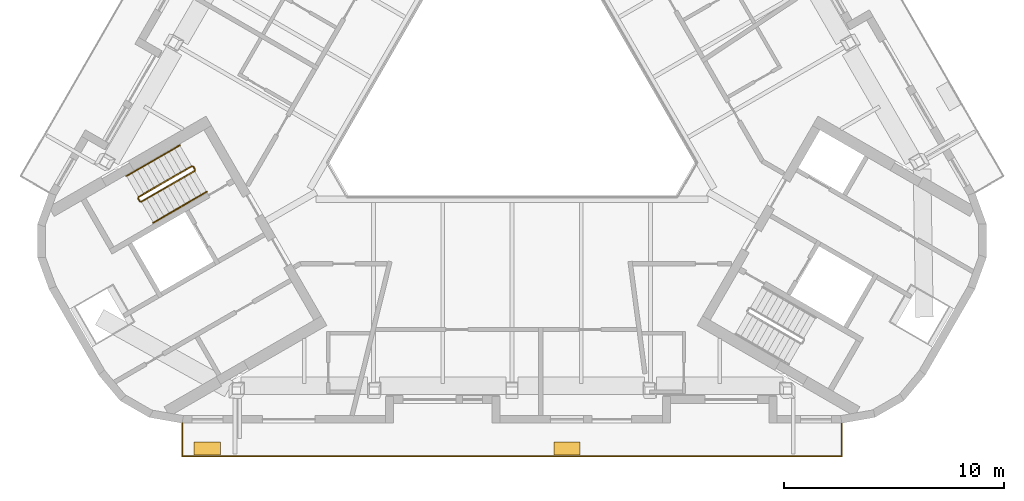
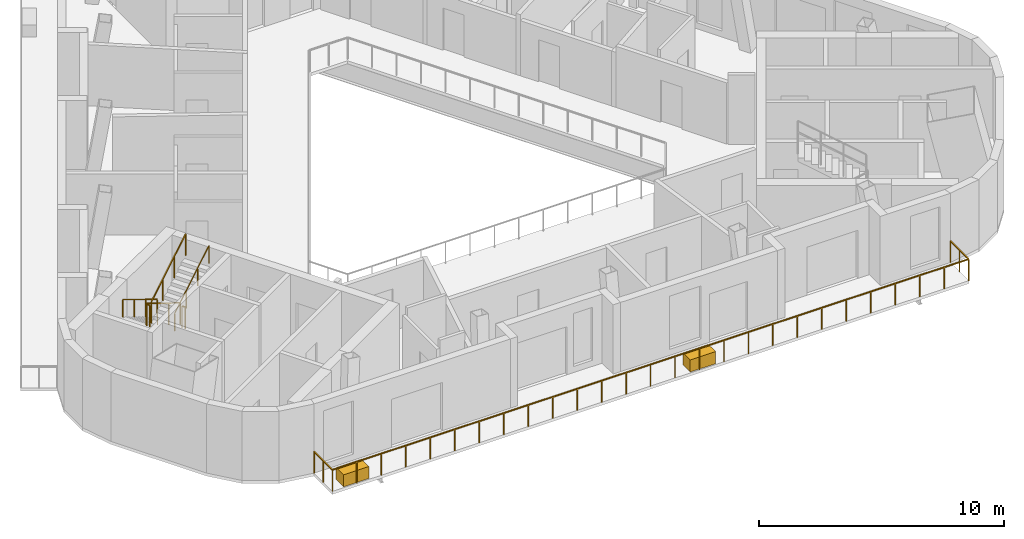
# One storey, part 8 of 11: 7 railings, 2 coverings.
"""IFC4 building model written with IfcOpenShell, lengths in metres."""

from ifc_helpers import new_model, si_unit, direction, frame, origin, origin_2d, place, context, subcontext, project, spatial, rectangle, circle, extrude, material, type_object, element, save


model = new_model("IFC4")

# Units and contexts
model_context = context("Model", 3, precision=1e-05, world=origin(), true_north=direction((0.0, 1.0)))
body_context = subcontext(model_context, "Body", "Model", "MODEL_VIEW")
ifc_project = project(units=[si_unit("LENGTHUNIT", "METRE"), si_unit("AREAUNIT", "SQUARE_METRE"), si_unit("VOLUMEUNIT", "CUBIC_METRE"), si_unit("PLANEANGLEUNIT", "RADIAN"), si_unit("MASSUNIT", "GRAM", prefix="KILO")], contexts=[model_context])

# Site, building, storey
site_placement = place(None, origin())
site = spatial("IfcSite", under=ifc_project, at=site_placement, CompositionType="ELEMENT")
building_placement = place(site_placement, origin())
building = spatial("IfcBuilding", under=site, at=building_placement, Name="Apuvela Tower Hotel", CompositionType="ELEMENT")
storey_placement = place(building_placement, frame((0.0, 0.0, 328.10009765625)))
storey = spatial("IfcBuildingStorey", under=building, at=storey_placement, Name="L82", CompositionType="ELEMENT", Elevation=328.10009765625)

# Railings
ifc_material_1 = material(Name="Steel S275 balustrade", Category="steel")
railing_type_1 = type_object("IfcRailingType", Name="COR-GUARD-1100", PredefinedType="GUARDRAIL", material=ifc_material_1)
railing_1_placement = place(storey_placement, frame((-14.569091796875, -3.9658203125, 0.16796875)))
element("IfcRailing", 1, at=railing_1_placement, inside=storey, type_object=railing_type_1, Name="L82 ST2 stair guard 1", PredefinedType="GUARDRAIL", context=body_context, shape_type="SweptSolid", body=[
    extrude(rectangle(XDim=0.048095703125, YDim=0.048095703125, at=origin_2d()), frame((0.0, 0.0, 1.076171875), z_axis=(-0.742390482028, -0.42860119049, 0.514934356695), x_axis=(0.49998411664, -0.866034573852, 0.0)), (0.0, 0.0, 1.0), 3.26611328125),
    extrude(rectangle(XDim=0.0419921875, YDim=0.0419921875, at=origin_2d()), origin(), (0.0, 0.0, 1.0), 1.052001953125),
    extrude(rectangle(XDim=0.0419921875, YDim=0.0419921875, at=origin_2d()), frame((-0.808349609375, -0.466552734375, 0.560546875)), (0.0, 0.0, 1.0), 1.052001953125),
    extrude(rectangle(XDim=0.0419921875, YDim=0.0419921875, at=origin_2d()), frame((-1.616455078125, -0.933349609375, 1.121337890625)), (0.0, 0.0, 1.0), 1.052001953125),
    extrude(rectangle(XDim=0.0419921875, YDim=0.0419921875, at=origin_2d()), frame((-2.4248046875, -1.39990234375, 1.681884765625)), (0.0, 0.0, 1.0), 1.052001953125),
])
railing_2_placement = place(storey_placement, frame((-17.01220703125, -5.43408203125, 1.849853515625)))
element("IfcRailing", 2, at=railing_2_placement, inside=storey, type_object=railing_type_1, Name="L82 ST2 stair guard 2", PredefinedType="GUARDRAIL", context=body_context, shape_type="SweptSolid", body=[
    extrude(rectangle(XDim=0.048095703125, YDim=0.048095703125, at=origin_2d()), frame((0.0, 0.0, 1.076171875), z_axis=(0.499816412211, -0.866131372301, 0.0), x_axis=(0.866131372301, 0.499816412211, 0.0)), (0.0, 0.0, 1.0), 0.14990234375),
    extrude(rectangle(XDim=0.0419921875, YDim=0.0419921875, at=origin_2d()), origin(), (0.0, 0.0, 1.0), 1.052001953125),
    extrude(rectangle(XDim=0.0419921875, YDim=0.0419921875, at=origin_2d()), frame((0.074951171875, -0.1298828125, 0.0)), (0.0, 0.0, 1.0), 1.052001953125),
])
railing_3_placement = place(storey_placement, frame((-16.868896484375, -5.582275390625, 2.01806640625)))
element("IfcRailing", 3, at=railing_3_placement, inside=storey, type_object=railing_type_1, Name="L82 ST2 stair guard 3", PredefinedType="GUARDRAIL", context=body_context, shape_type="SweptSolid", body=[
    extrude(rectangle(XDim=0.048095703125, YDim=0.048095703125, at=origin_2d()), frame((0.0, 0.0, 1.076171875), z_axis=(0.742390482028, 0.42860119049, 0.514934356695), x_axis=(-0.49998411664, 0.866034573852, 0.0)), (0.0, 0.0, 1.0), 3.26611328125),
    extrude(rectangle(XDim=0.0419921875, YDim=0.0419921875, at=origin_2d()), origin(), (0.0, 0.0, 1.0), 1.052001953125),
    extrude(rectangle(XDim=0.0419921875, YDim=0.0419921875, at=origin_2d()), frame((0.808349609375, 0.466552734375, 0.560546875)), (0.0, 0.0, 1.0), 1.052001953125),
    extrude(rectangle(XDim=0.0419921875, YDim=0.0419921875, at=origin_2d()), frame((1.616455078125, 0.933349609375, 1.121337890625)), (0.0, 0.0, 1.0), 1.052001953125),
    extrude(rectangle(XDim=0.0419921875, YDim=0.0419921875, at=origin_2d()), frame((2.4248046875, 1.39990234375, 1.681884765625)), (0.0, 0.0, 1.0), 1.052001953125),
])
railing_4_placement = place(storey_placement, frame((-14.500732421875, -3.984130859375, 0.0)))
element("IfcRailing", 4, at=railing_4_placement, inside=storey, type_object=railing_type_1, Name="L82 ST2 stair guard 4", PredefinedType="GUARDRAIL", context=body_context, shape_type="SweptSolid", body=[
    extrude(rectangle(XDim=0.048095703125, YDim=0.048095703125, at=origin_2d()), frame((0.0, 0.0, 1.076171875), z_axis=(0.499816412211, -0.866131372301, 0.0), x_axis=(0.866131372301, 0.499816412211, 0.0)), (0.0, 0.0, 1.0), 0.14990234375),
    extrude(rectangle(XDim=0.0419921875, YDim=0.0419921875, at=origin_2d()), origin(), (0.0, 0.0, 1.0), 1.052001953125),
    extrude(rectangle(XDim=0.0419921875, YDim=0.0419921875, at=origin_2d()), frame((0.074951171875, -0.1298828125, 0.0)), (0.0, 0.0, 1.0), 1.052001953125),
])
ifc_material_2 = material(Name="Stainless steel 316 handrail", Category="steel")
railing_type_2 = type_object("IfcRailingType", Name="COR-HANDRAIL-900", PredefinedType="HANDRAIL", material=ifc_material_2)
railing_5_placement = place(storey_placement, frame((-15.118896484375, -3.01318359375, 0.16796875)))
element("IfcRailing", 5, at=railing_5_placement, inside=storey, type_object=railing_type_2, Name="L82 ST2 stair handrail 1", PredefinedType="HANDRAIL", context=body_context, shape_type="SweptSolid", body=[
    extrude(circle(Radius=0.02392578125, at=origin_2d()), frame((0.0, 0.0, 0.8759765625), z_axis=(-0.742424030051, -0.428577407461, 0.514905783049), x_axis=(0.49994636267, -0.866056369097, 0.0)), (0.0, 0.0, 1.0), 3.266357421875),
    extrude(rectangle(XDim=0.0419921875, YDim=0.0419921875, at=origin_2d()), origin(), (0.0, 0.0, 1.0), 0.851806640625),
    extrude(rectangle(XDim=0.0419921875, YDim=0.0419921875, at=origin_2d()), frame((-0.808349609375, -0.466552734375, 0.560546875)), (0.0, 0.0, 1.0), 0.851806640625),
    extrude(rectangle(XDim=0.0419921875, YDim=0.0419921875, at=origin_2d()), frame((-1.61669921875, -0.933349609375, 1.121337890625)), (0.0, 0.0, 1.0), 0.851806640625),
    extrude(rectangle(XDim=0.0419921875, YDim=0.0419921875, at=origin_2d()), frame((-2.425048828125, -1.39990234375, 1.681884765625)), (0.0, 0.0, 1.0), 0.851806640625),
])
railing_6_placement = place(storey_placement, frame((-16.31884765625, -6.534912109375, 2.01806640625)))
element("IfcRailing", 6, at=railing_6_placement, inside=storey, type_object=railing_type_2, Name="L82 ST2 stair handrail 2", PredefinedType="HANDRAIL", context=body_context, shape_type="SweptSolid", body=[
    extrude(circle(Radius=0.02392578125, at=origin_2d()), frame((0.0, 0.0, 0.8759765625), z_axis=(0.742390482028, 0.42860119049, 0.514934356695), x_axis=(-0.49998411664, 0.866034573852, 0.0)), (0.0, 0.0, 1.0), 3.26611328125),
    extrude(rectangle(XDim=0.0419921875, YDim=0.0419921875, at=origin_2d()), origin(), (0.0, 0.0, 1.0), 0.851806640625),
    extrude(rectangle(XDim=0.0419921875, YDim=0.0419921875, at=origin_2d()), frame((0.808349609375, 0.466552734375, 0.560546875)), (0.0, 0.0, 1.0), 0.851806640625),
    extrude(rectangle(XDim=0.0419921875, YDim=0.0419921875, at=origin_2d()), frame((1.616455078125, 0.933349609375, 1.121337890625)), (0.0, 0.0, 1.0), 0.851806640625),
    extrude(rectangle(XDim=0.0419921875, YDim=0.0419921875, at=origin_2d()), frame((2.4248046875, 1.39990234375, 1.681884765625)), (0.0, 0.0, 1.0), 0.851806640625),
])
ifc_material_3 = material(Name="Stainless steel 316 rail with laminated glass infill", Category="steel")
railing_type_3 = type_object("IfcRailingType", Name="ENV-GUARD-1100", PredefinedType="GUARDRAIL", material=ifc_material_3)
railing_7_placement = place(storey_placement, frame((-15.010986328125, -15.660400390625, 0.0)))
element("IfcRailing", 7, at=railing_7_placement, inside=storey, type_object=railing_type_3, Name="Balcony guard S L82", PredefinedType="GUARDRAIL", context=body_context, shape_type="SweptSolid", body=[
    extrude(rectangle(XDim=0.050048828125, YDim=0.050048828125, at=origin_2d()), frame((0.0, 0.0, 1.0751953125), z_axis=(0.0, -1.0, 0.0), x_axis=(1.0, 0.0, 0.0)), (0.0, 0.0, 1.0), 1.5),
    extrude(rectangle(XDim=0.050048828125, YDim=0.050048828125, at=origin_2d()), frame((0.0, -1.5, 1.0751953125), z_axis=(1.0, 0.0, 0.0), x_axis=(0.0, 1.0, 0.0)), (0.0, 0.0, 1.0), 30.02197265625),
    extrude(rectangle(XDim=0.050048828125, YDim=0.050048828125, at=origin_2d()), frame((30.02197265625, -1.5, 1.0751953125), z_axis=(0.0, 1.0, 0.0), x_axis=(-1.0, 0.0, 0.0)), (0.0, 0.0, 1.0), 1.5),
    extrude(rectangle(XDim=0.0400390625, YDim=0.0400390625, at=origin_2d()), origin(), (0.0, 0.0, 1.0), 1.050048828125),
    extrude(rectangle(XDim=0.0400390625, YDim=0.0400390625, at=origin_2d()), frame((0.0, -0.75, 0.0)), (0.0, 0.0, 1.0), 1.050048828125),
    extrude(rectangle(XDim=0.0400390625, YDim=0.0400390625, at=origin_2d()), frame((0.0, -1.5, 0.0)), (0.0, 0.0, 1.0), 1.050048828125),
    extrude(rectangle(XDim=0.0400390625, YDim=0.0400390625, at=origin_2d()), frame((1.15478515625, -1.5, 0.0)), (0.0, 0.0, 1.0), 1.050048828125),
    extrude(rectangle(XDim=0.0400390625, YDim=0.0400390625, at=origin_2d()), frame((2.309326171875, -1.5, 0.0)), (0.0, 0.0, 1.0), 1.050048828125),
    extrude(rectangle(XDim=0.0400390625, YDim=0.0400390625, at=origin_2d()), frame((3.464111328125, -1.5, 0.0)), (0.0, 0.0, 1.0), 1.050048828125),
    extrude(rectangle(XDim=0.0400390625, YDim=0.0400390625, at=origin_2d()), frame((4.61865234375, -1.5, 0.0)), (0.0, 0.0, 1.0), 1.050048828125),
    extrude(rectangle(XDim=0.0400390625, YDim=0.0400390625, at=origin_2d()), frame((5.7734375, -1.5, 0.0)), (0.0, 0.0, 1.0), 1.050048828125),
    extrude(rectangle(XDim=0.0400390625, YDim=0.0400390625, at=origin_2d()), frame((6.92822265625, -1.5, 0.0)), (0.0, 0.0, 1.0), 1.050048828125),
    extrude(rectangle(XDim=0.0400390625, YDim=0.0400390625, at=origin_2d()), frame((8.082763671875, -1.5, 0.0)), (0.0, 0.0, 1.0), 1.050048828125),
    extrude(rectangle(XDim=0.0400390625, YDim=0.0400390625, at=origin_2d()), frame((9.237548828125, -1.5, 0.0)), (0.0, 0.0, 1.0), 1.050048828125),
    extrude(rectangle(XDim=0.0400390625, YDim=0.0400390625, at=origin_2d()), frame((10.392333984375, -1.5, 0.0)), (0.0, 0.0, 1.0), 1.050048828125),
    extrude(rectangle(XDim=0.0400390625, YDim=0.0400390625, at=origin_2d()), frame((11.546875, -1.5, 0.0)), (0.0, 0.0, 1.0), 1.050048828125),
    extrude(rectangle(XDim=0.0400390625, YDim=0.0400390625, at=origin_2d()), frame((12.70166015625, -1.5, 0.0)), (0.0, 0.0, 1.0), 1.050048828125),
    extrude(rectangle(XDim=0.0400390625, YDim=0.0400390625, at=origin_2d()), frame((13.856201171875, -1.5, 0.0)), (0.0, 0.0, 1.0), 1.050048828125),
    extrude(rectangle(XDim=0.0400390625, YDim=0.0400390625, at=origin_2d()), frame((15.010986328125, -1.5, 0.0)), (0.0, 0.0, 1.0), 1.050048828125),
    extrude(rectangle(XDim=0.0400390625, YDim=0.0400390625, at=origin_2d()), frame((16.165771484375, -1.5, 0.0)), (0.0, 0.0, 1.0), 1.050048828125),
    extrude(rectangle(XDim=0.0400390625, YDim=0.0400390625, at=origin_2d()), frame((17.3203125, -1.5, 0.0)), (0.0, 0.0, 1.0), 1.050048828125),
    extrude(rectangle(XDim=0.0400390625, YDim=0.0400390625, at=origin_2d()), frame((18.47509765625, -1.5, 0.0)), (0.0, 0.0, 1.0), 1.050048828125),
    extrude(rectangle(XDim=0.0400390625, YDim=0.0400390625, at=origin_2d()), frame((19.629638671875, -1.5, 0.0)), (0.0, 0.0, 1.0), 1.050048828125),
    extrude(rectangle(XDim=0.0400390625, YDim=0.0400390625, at=origin_2d()), frame((20.784423828125, -1.5, 0.0)), (0.0, 0.0, 1.0), 1.050048828125),
    extrude(rectangle(XDim=0.0400390625, YDim=0.0400390625, at=origin_2d()), frame((21.939208984375, -1.5, 0.0)), (0.0, 0.0, 1.0), 1.050048828125),
    extrude(rectangle(XDim=0.0400390625, YDim=0.0400390625, at=origin_2d()), frame((23.09375, -1.5, 0.0)), (0.0, 0.0, 1.0), 1.050048828125),
    extrude(rectangle(XDim=0.0400390625, YDim=0.0400390625, at=origin_2d()), frame((24.24853515625, -1.5, 0.0)), (0.0, 0.0, 1.0), 1.050048828125),
    extrude(rectangle(XDim=0.0400390625, YDim=0.0400390625, at=origin_2d()), frame((25.4033203125, -1.5, 0.0)), (0.0, 0.0, 1.0), 1.050048828125),
    extrude(rectangle(XDim=0.0400390625, YDim=0.0400390625, at=origin_2d()), frame((26.557861328125, -1.5, 0.0)), (0.0, 0.0, 1.0), 1.050048828125),
    extrude(rectangle(XDim=0.0400390625, YDim=0.0400390625, at=origin_2d()), frame((27.712646484375, -1.5, 0.0)), (0.0, 0.0, 1.0), 1.050048828125),
    extrude(rectangle(XDim=0.0400390625, YDim=0.0400390625, at=origin_2d()), frame((28.8671875, -1.5, 0.0)), (0.0, 0.0, 1.0), 1.050048828125),
    extrude(rectangle(XDim=0.0400390625, YDim=0.0400390625, at=origin_2d()), frame((30.02197265625, -1.5, 0.0)), (0.0, 0.0, 1.0), 1.050048828125),
    extrude(rectangle(XDim=0.0400390625, YDim=0.0400390625, at=origin_2d()), frame((30.02197265625, -0.75, 0.0)), (0.0, 0.0, 1.0), 1.050048828125),
    extrude(rectangle(XDim=0.0400390625, YDim=0.0400390625, at=origin_2d()), frame((30.02197265625, 0.0, 0.0)), (0.0, 0.0, 1.0), 1.050048828125),
])

# Coverings
ifc_material_4 = material(Name="Planting substrate and soil, planted")
covering_type = type_object("IfcCoveringType", Name="ENV-PLANTER-1200x600", PredefinedType="USERDEFINED", material=ifc_material_4)
for number, where, z_axis, x_axis, name in (
    (8, (-13.86083984375, -16.810302734375, -0.000244140625), (0.0, 0.0, 1.0), (1.0, 0.0, 0.0), "Planter S1"),
    (9, (2.50048828125, -16.810302734375, -0.000244140625), (0.0, 0.0, 1.0), (1.0, 0.0, 0.0), "Planter S2"),
):
    element("IfcCovering", number, at=place(storey_placement, frame(where, z_axis=z_axis, x_axis=x_axis)), inside=storey, type_object=covering_type, Name=name, ObjectType="PLANTER", PredefinedType="USERDEFINED", context=body_context, shape_type="SweptSolid", body=[
        extrude(rectangle(XDim=1.199951171875, YDim=0.60009765625, at=origin_2d()), origin(), (0.0, 0.0, 1.0), 0.60009765625),
    ])

save(model, "model.ifc")
